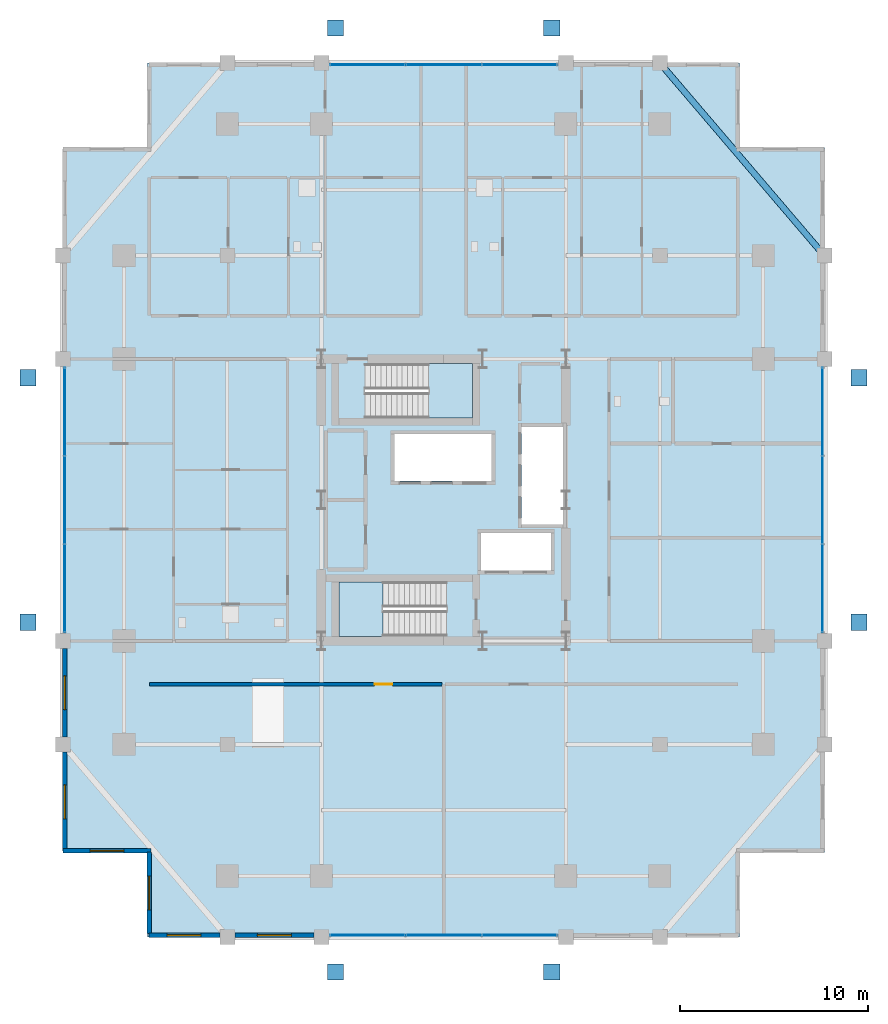
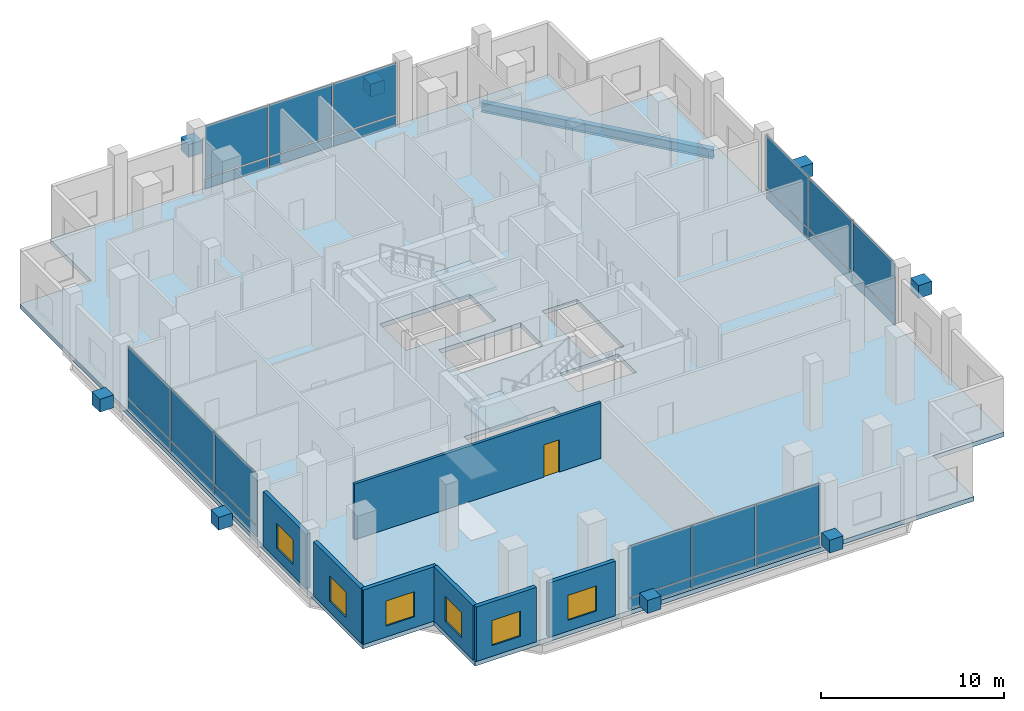
# One storey, part 13 of 19: 32 plates, 7 walls, 6 windows, 3 slabs, 1 beam, 1 door, 7 openings, 6 elements without a shape of their own.
"""IFC4 building model written with IfcOpenShell, lengths in metres."""

from ifc_helpers import new_model, si_unit, direction, frame, frame_2d, origin, origin_2d, place, context, subcontext, project, spatial, polyline, rectangle, i_section, outline, extrude, material, layer, layer_set, material_profile, profile_set, type_object, element, fill, aggregate, save


model = new_model("IFC4")

# Units and contexts
model_context = context("Model", 3, precision=1e-05, world=origin(), true_north=direction((0.0, 1.0)))
body_context = subcontext(model_context, "Body", "Model", "MODEL_VIEW")
ifc_project = project(units=[si_unit("LENGTHUNIT", "METRE"), si_unit("AREAUNIT", "SQUARE_METRE"), si_unit("VOLUMEUNIT", "CUBIC_METRE"), si_unit("PLANEANGLEUNIT", "RADIAN"), si_unit("MASSUNIT", "GRAM", prefix="KILO")], contexts=[model_context])

# Site, building, storey
site_placement = place(None, origin())
site = spatial("IfcSite", under=ifc_project, at=site_placement, CompositionType="ELEMENT")
building_placement = place(site_placement, origin())
building = spatial("IfcBuilding", under=site, at=building_placement, Name="Barlavira Tower and Art Museum", CompositionType="ELEMENT")
storey_placement = place(building_placement, frame((0.0, 0.0, 125.10009765625)))
storey = spatial("IfcBuildingStorey", under=building, at=storey_placement, Name="L31", CompositionType="ELEMENT", Elevation=125.10009765625)

# Beam
ifc_material_1 = material(Name="Steel S355", Category="steel")
ifc_material_profile = material_profile(ifc_material_1, i_section(OverallWidth=0.327880859375, OverallDepth=0.62890625, WebThickness=0.013916015625, FlangeThickness=0.021484375, at=origin_2d()), Name="W610x174.0")
ifc_profile_set = profile_set([ifc_material_profile], Name="Steel S355")
beam_type = type_object("IfcBeamType", Name="Perimeter Spandrel Edge Beam W610x174 Steel S355", PredefinedType="SPANDREL", material=ifc_profile_set)
beam_placement = place(storey_placement, frame((20.25, 13.0, -0.614501953125), z_axis=(-0.649262379928, 0.760564502202, 0.0), x_axis=(-0.760564502202, -0.649262379928, 0.0)))
element("IfcBeam", 1, at=beam_placement, inside=storey, type_object=beam_type, Name="L31 Spandrel 8", PredefinedType="SPANDREL", context=body_context, shape_type="SweptSolid", body=[
    extrude(i_section(OverallWidth=0.327880859375, OverallDepth=0.62890625, WebThickness=0.013916015625, FlangeThickness=0.021484375, at=origin_2d()), origin(), (0.0, 0.0, 1.0), 13.476806640625),
])

# Curtain wall, plates
ifc_material_2 = material(Name="Low-iron coastal laminated glass", Category="glass")
ifc_layer_1 = layer(ifc_material_2, 0.18994140625, Name="Low-iron coastal laminated glass")
ifc_layer_set_1 = layer_set([ifc_layer_1], Name="Low-iron coastal laminated glass")
curtain_wall_type = type_object("IfcCurtainWallType", Name="Pale-Metal Unitised Curtain Wall Zone 2", PredefinedType="NOTDEFINED", material=ifc_layer_set_1)
curtain_wall_1_placement = place(storey_placement, origin())
curtain_wall_1 = element("IfcCurtainWall", 2, at=curtain_wall_1_placement, inside=storey, type_object=curtain_wall_type, Name="L31 Curtain Wall CW2-L31-S-B3", PredefinedType="NOTDEFINED")
ifc_material_3 = material(Name="Pale anodised aluminium", Category="aluminium")
ifc_layer_2 = layer(ifc_material_3, 0.044921875, Name="Pale anodised aluminium")
ifc_layer_set_2 = layer_set([ifc_layer_2], Name="Pale anodised aluminium")
plate_type_1 = type_object("IfcPlateType", Name="Curtain Wall Pale-Metal Spandrel Panel 45", PredefinedType="CURTAIN_PANEL", material=ifc_layer_set_2)
plate_1_placement = place(storey_placement, frame((-4.05322265625, -23.14990234375, 0.0400390625), z_axis=(0.0, 0.0, 1.0), x_axis=(1.0, 0.0, 0.0)))
plate_1 = element("IfcPlate", 3, at=plate_1_placement, type_object=plate_type_1, Name="CW2-L31-S-B3 Spandrel Panel 0", PredefinedType="CURTAIN_PANEL", context=body_context, shape_type="SweptSolid", body=[
    extrude(rectangle(XDim=3.953369140625, YDim=0.044921875, at=origin_2d()), origin(), (0.0, 0.0, 1.0), 0.669921875),
])
plate_2_placement = place(storey_placement, frame((0.0, -23.14990234375, 0.0400390625), z_axis=(0.0, 0.0, 1.0), x_axis=(1.0, 0.0, 0.0)))
plate_2 = element("IfcPlate", 4, at=plate_2_placement, type_object=plate_type_1, Name="CW2-L31-S-B3 Spandrel Panel 1", PredefinedType="CURTAIN_PANEL", context=body_context, shape_type="SweptSolid", body=[
    extrude(rectangle(XDim=3.953369140625, YDim=0.044921875, at=origin_2d()), origin(), (0.0, 0.0, 1.0), 0.669921875),
])
plate_3_placement = place(storey_placement, frame((4.05322265625, -23.14990234375, 0.0400390625), z_axis=(0.0, 0.0, 1.0), x_axis=(1.0, 0.0, 0.0)))
plate_3 = element("IfcPlate", 5, at=plate_3_placement, type_object=plate_type_1, Name="CW2-L31-S-B3 Spandrel Panel 2", PredefinedType="CURTAIN_PANEL", context=body_context, shape_type="SweptSolid", body=[
    extrude(rectangle(XDim=3.953369140625, YDim=0.044921875, at=origin_2d()), origin(), (0.0, 0.0, 1.0), 0.669921875),
])

curtain_wall_2_placement = place(storey_placement, origin())
curtain_wall_2 = element("IfcCurtainWall", 6, at=curtain_wall_2_placement, inside=storey, type_object=curtain_wall_type, Name="L31 Curtain Wall CW2-L31-N-B3", PredefinedType="NOTDEFINED")
plate_4_placement = place(storey_placement, frame((4.05322265625, 23.14990234375, 0.0400390625), z_axis=(0.0, 0.0, 1.0), x_axis=(-1.0, 0.0, 0.0)))
plate_4 = element("IfcPlate", 7, at=plate_4_placement, type_object=plate_type_1, Name="CW2-L31-N-B3 Spandrel Panel 0", PredefinedType="CURTAIN_PANEL", context=body_context, shape_type="SweptSolid", body=[
    extrude(rectangle(XDim=3.953369140625, YDim=0.044921875, at=origin_2d()), origin(), (0.0, 0.0, 1.0), 0.669921875),
])
plate_5_placement = place(storey_placement, frame((0.0, 23.14990234375, 0.0400390625), z_axis=(0.0, 0.0, 1.0), x_axis=(-1.0, 0.0, 0.0)))
plate_5 = element("IfcPlate", 8, at=plate_5_placement, type_object=plate_type_1, Name="CW2-L31-N-B3 Spandrel Panel 1", PredefinedType="CURTAIN_PANEL", context=body_context, shape_type="SweptSolid", body=[
    extrude(rectangle(XDim=3.953369140625, YDim=0.044921875, at=origin_2d()), origin(), (0.0, 0.0, 1.0), 0.669921875),
])
plate_6_placement = place(storey_placement, frame((-4.05322265625, 23.14990234375, 0.0400390625), z_axis=(0.0, 0.0, 1.0), x_axis=(-1.0, 0.0, 0.0)))
plate_6 = element("IfcPlate", 9, at=plate_6_placement, type_object=plate_type_1, Name="CW2-L31-N-B3 Spandrel Panel 2", PredefinedType="CURTAIN_PANEL", context=body_context, shape_type="SweptSolid", body=[
    extrude(rectangle(XDim=3.953369140625, YDim=0.044921875, at=origin_2d()), origin(), (0.0, 0.0, 1.0), 0.669921875),
])

curtain_wall_3_placement = place(storey_placement, origin())
curtain_wall_3 = element("IfcCurtainWall", 10, at=curtain_wall_3_placement, inside=storey, type_object=curtain_wall_type, Name="L31 Curtain Wall CW2-L31-W-B3", PredefinedType="NOTDEFINED")
plate_7_placement = place(storey_placement, frame((-20.14990234375, 4.719970703125, 0.0400390625), z_axis=(0.0, 0.0, 1.0), x_axis=(0.0, -1.0, 0.0)))
plate_7 = element("IfcPlate", 11, at=plate_7_placement, type_object=plate_type_1, Name="CW2-L31-W-B3 Spandrel Panel 0", PredefinedType="CURTAIN_PANEL", context=body_context, shape_type="SweptSolid", body=[
    extrude(rectangle(XDim=4.6201171875, YDim=0.044921875, at=origin_2d()), origin(), (0.0, 0.0, 1.0), 0.669921875),
])
plate_8_placement = place(storey_placement, frame((-20.14990234375, 0.0, 0.0400390625), z_axis=(0.0, 0.0, 1.0), x_axis=(0.0, -1.0, 0.0)))
plate_8 = element("IfcPlate", 12, at=plate_8_placement, type_object=plate_type_1, Name="CW2-L31-W-B3 Spandrel Panel 1", PredefinedType="CURTAIN_PANEL", context=body_context, shape_type="SweptSolid", body=[
    extrude(rectangle(XDim=4.6201171875, YDim=0.044921875, at=origin_2d()), origin(), (0.0, 0.0, 1.0), 0.669921875),
])
plate_9_placement = place(storey_placement, frame((-20.14990234375, -4.719970703125, 0.0400390625), z_axis=(0.0, 0.0, 1.0), x_axis=(0.0, -1.0, 0.0)))
plate_9 = element("IfcPlate", 13, at=plate_9_placement, type_object=plate_type_1, Name="CW2-L31-W-B3 Spandrel Panel 2", PredefinedType="CURTAIN_PANEL", context=body_context, shape_type="SweptSolid", body=[
    extrude(rectangle(XDim=4.6201171875, YDim=0.044921875, at=origin_2d()), origin(), (0.0, 0.0, 1.0), 0.669921875),
])

curtain_wall_4_placement = place(storey_placement, origin())
curtain_wall_4 = element("IfcCurtainWall", 14, at=curtain_wall_4_placement, inside=storey, type_object=curtain_wall_type, Name="L31 Curtain Wall CW2-L31-E-B3", PredefinedType="NOTDEFINED")
plate_10_placement = place(storey_placement, frame((20.14990234375, -4.719970703125, 0.0400390625), z_axis=(0.0, 0.0, 1.0), x_axis=(0.0, 1.0, 0.0)))
plate_10 = element("IfcPlate", 15, at=plate_10_placement, type_object=plate_type_1, Name="CW2-L31-E-B3 Spandrel Panel 0", PredefinedType="CURTAIN_PANEL", context=body_context, shape_type="SweptSolid", body=[
    extrude(rectangle(XDim=4.6201171875, YDim=0.044921875, at=origin_2d()), origin(), (0.0, 0.0, 1.0), 0.669921875),
])
plate_11_placement = place(storey_placement, frame((20.14990234375, 0.0, 0.0400390625), z_axis=(0.0, 0.0, 1.0), x_axis=(0.0, 1.0, 0.0)))
plate_11 = element("IfcPlate", 16, at=plate_11_placement, type_object=plate_type_1, Name="CW2-L31-E-B3 Spandrel Panel 1", PredefinedType="CURTAIN_PANEL", context=body_context, shape_type="SweptSolid", body=[
    extrude(rectangle(XDim=4.6201171875, YDim=0.044921875, at=origin_2d()), origin(), (0.0, 0.0, 1.0), 0.669921875),
])
plate_12_placement = place(storey_placement, frame((20.14990234375, 4.719970703125, 0.0400390625), z_axis=(0.0, 0.0, 1.0), x_axis=(0.0, 1.0, 0.0)))
plate_12 = element("IfcPlate", 17, at=plate_12_placement, type_object=plate_type_1, Name="CW2-L31-E-B3 Spandrel Panel 2", PredefinedType="CURTAIN_PANEL", context=body_context, shape_type="SweptSolid", body=[
    extrude(rectangle(XDim=4.6201171875, YDim=0.044921875, at=origin_2d()), origin(), (0.0, 0.0, 1.0), 0.669921875),
])

# Plate
ifc_layer_3 = layer(ifc_material_2, 0.028076171875, Name="Low-iron coastal laminated glass")
ifc_layer_set_3 = layer_set([ifc_layer_3], Name="Low-iron coastal laminated glass")
plate_type_2 = type_object("IfcPlateType", Name="Curtain Wall Vision Glazing Panel 28", PredefinedType="CURTAIN_PANEL", material=ifc_layer_set_3)
plate_13_placement = place(storey_placement, frame((-4.05322265625, -23.14990234375, 0.7900390625), z_axis=(0.0, 0.0, 1.0), x_axis=(1.0, 0.0, 0.0)))
plate_13 = element("IfcPlate", 18, at=plate_13_placement, type_object=plate_type_2, Name="CW2-L31-S-B3 Vision Glass Panel 0", PredefinedType="CURTAIN_PANEL", context=body_context, shape_type="SweptSolid", body=[
    extrude(rectangle(XDim=3.953369140625, YDim=0.028076171875, at=origin_2d()), origin(), (0.0, 0.0, 1.0), 3.449951171875),
])

plate_14_placement = place(storey_placement, frame((0.0, -23.14990234375, 0.7900390625), z_axis=(0.0, 0.0, 1.0), x_axis=(1.0, 0.0, 0.0)))
plate_14 = element("IfcPlate", 19, at=plate_14_placement, type_object=plate_type_2, Name="CW2-L31-S-B3 Vision Glass Panel 1", PredefinedType="CURTAIN_PANEL", context=body_context, shape_type="SweptSolid", body=[
    extrude(rectangle(XDim=3.953369140625, YDim=0.028076171875, at=origin_2d()), origin(), (0.0, 0.0, 1.0), 3.449951171875),
])

plate_15_placement = place(storey_placement, frame((4.05322265625, -23.14990234375, 0.7900390625), z_axis=(0.0, 0.0, 1.0), x_axis=(1.0, 0.0, 0.0)))
plate_15 = element("IfcPlate", 20, at=plate_15_placement, type_object=plate_type_2, Name="CW2-L31-S-B3 Vision Glass Panel 2", PredefinedType="CURTAIN_PANEL", context=body_context, shape_type="SweptSolid", body=[
    extrude(rectangle(XDim=3.953369140625, YDim=0.028076171875, at=origin_2d()), origin(), (0.0, 0.0, 1.0), 3.449951171875),
])

aggregate(curtain_wall_1, [plate_1, plate_13, plate_2, plate_14, plate_3, plate_15])

plate_16_placement = place(storey_placement, frame((4.05322265625, 23.14990234375, 0.7900390625), z_axis=(0.0, 0.0, 1.0), x_axis=(-1.0, 0.0, 0.0)))
plate_16 = element("IfcPlate", 21, at=plate_16_placement, type_object=plate_type_2, Name="CW2-L31-N-B3 Vision Glass Panel 0", PredefinedType="CURTAIN_PANEL", context=body_context, shape_type="SweptSolid", body=[
    extrude(rectangle(XDim=3.953369140625, YDim=0.028076171875, at=origin_2d()), origin(), (0.0, 0.0, 1.0), 3.449951171875),
])

plate_17_placement = place(storey_placement, frame((0.0, 23.14990234375, 0.7900390625), z_axis=(0.0, 0.0, 1.0), x_axis=(-1.0, 0.0, 0.0)))
plate_17 = element("IfcPlate", 22, at=plate_17_placement, type_object=plate_type_2, Name="CW2-L31-N-B3 Vision Glass Panel 1", PredefinedType="CURTAIN_PANEL", context=body_context, shape_type="SweptSolid", body=[
    extrude(rectangle(XDim=3.953369140625, YDim=0.028076171875, at=origin_2d()), origin(), (0.0, 0.0, 1.0), 3.449951171875),
])

plate_18_placement = place(storey_placement, frame((-4.05322265625, 23.14990234375, 0.7900390625), z_axis=(0.0, 0.0, 1.0), x_axis=(-1.0, 0.0, 0.0)))
plate_18 = element("IfcPlate", 23, at=plate_18_placement, type_object=plate_type_2, Name="CW2-L31-N-B3 Vision Glass Panel 2", PredefinedType="CURTAIN_PANEL", context=body_context, shape_type="SweptSolid", body=[
    extrude(rectangle(XDim=3.953369140625, YDim=0.028076171875, at=origin_2d()), origin(), (0.0, 0.0, 1.0), 3.449951171875),
])

aggregate(curtain_wall_2, [plate_4, plate_16, plate_5, plate_17, plate_6, plate_18])

plate_19_placement = place(storey_placement, frame((-20.14990234375, 4.719970703125, 0.7900390625), z_axis=(0.0, 0.0, 1.0), x_axis=(0.0, -1.0, 0.0)))
plate_19 = element("IfcPlate", 24, at=plate_19_placement, type_object=plate_type_2, Name="CW2-L31-W-B3 Vision Glass Panel 0", PredefinedType="CURTAIN_PANEL", context=body_context, shape_type="SweptSolid", body=[
    extrude(rectangle(XDim=4.6201171875, YDim=0.028076171875, at=origin_2d()), origin(), (0.0, 0.0, 1.0), 3.449951171875),
])

plate_20_placement = place(storey_placement, frame((-20.14990234375, 0.0, 0.7900390625), z_axis=(0.0, 0.0, 1.0), x_axis=(0.0, -1.0, 0.0)))
plate_20 = element("IfcPlate", 25, at=plate_20_placement, type_object=plate_type_2, Name="CW2-L31-W-B3 Vision Glass Panel 1", PredefinedType="CURTAIN_PANEL", context=body_context, shape_type="SweptSolid", body=[
    extrude(rectangle(XDim=4.6201171875, YDim=0.028076171875, at=origin_2d()), origin(), (0.0, 0.0, 1.0), 3.449951171875),
])

plate_21_placement = place(storey_placement, frame((-20.14990234375, -4.719970703125, 0.7900390625), z_axis=(0.0, 0.0, 1.0), x_axis=(0.0, -1.0, 0.0)))
plate_21 = element("IfcPlate", 26, at=plate_21_placement, type_object=plate_type_2, Name="CW2-L31-W-B3 Vision Glass Panel 2", PredefinedType="CURTAIN_PANEL", context=body_context, shape_type="SweptSolid", body=[
    extrude(rectangle(XDim=4.6201171875, YDim=0.028076171875, at=origin_2d()), origin(), (0.0, 0.0, 1.0), 3.449951171875),
])

aggregate(curtain_wall_3, [plate_7, plate_19, plate_8, plate_20, plate_9, plate_21])

plate_22_placement = place(storey_placement, frame((20.14990234375, -4.719970703125, 0.7900390625), z_axis=(0.0, 0.0, 1.0), x_axis=(0.0, 1.0, 0.0)))
plate_22 = element("IfcPlate", 27, at=plate_22_placement, type_object=plate_type_2, Name="CW2-L31-E-B3 Vision Glass Panel 0", PredefinedType="CURTAIN_PANEL", context=body_context, shape_type="SweptSolid", body=[
    extrude(rectangle(XDim=4.6201171875, YDim=0.028076171875, at=origin_2d()), origin(), (0.0, 0.0, 1.0), 3.449951171875),
])

plate_23_placement = place(storey_placement, frame((20.14990234375, 0.0, 0.7900390625), z_axis=(0.0, 0.0, 1.0), x_axis=(0.0, 1.0, 0.0)))
plate_23 = element("IfcPlate", 28, at=plate_23_placement, type_object=plate_type_2, Name="CW2-L31-E-B3 Vision Glass Panel 1", PredefinedType="CURTAIN_PANEL", context=body_context, shape_type="SweptSolid", body=[
    extrude(rectangle(XDim=4.6201171875, YDim=0.028076171875, at=origin_2d()), origin(), (0.0, 0.0, 1.0), 3.449951171875),
])

plate_24_placement = place(storey_placement, frame((20.14990234375, 4.719970703125, 0.7900390625), z_axis=(0.0, 0.0, 1.0), x_axis=(0.0, 1.0, 0.0)))
plate_24 = element("IfcPlate", 29, at=plate_24_placement, type_object=plate_type_2, Name="CW2-L31-E-B3 Vision Glass Panel 2", PredefinedType="CURTAIN_PANEL", context=body_context, shape_type="SweptSolid", body=[
    extrude(rectangle(XDim=4.6201171875, YDim=0.028076171875, at=origin_2d()), origin(), (0.0, 0.0, 1.0), 3.449951171875),
])

aggregate(curtain_wall_4, [plate_10, plate_22, plate_11, plate_23, plate_12, plate_24])

# Plates
ifc_layer_4 = layer(ifc_material_1, 0.860107421875, Name="Steel S355")
ifc_layer_set_4 = layer_set([ifc_layer_4], Name="Steel S355")
plate_type_3 = type_object("IfcPlateType", Name="Exoskeleton Solid Steel Node Cap Plate Assembly Type 2 Steel S355", PredefinedType="USERDEFINED", material=ifc_layer_set_4)
for number, where, z_axis, x_axis, name in (
    (30, (-5.75, -25.10009765625, 1.25), (0.0, 0.0, 1.0), (1.0, 0.0, 0.0), "Exoskeleton Diamond Node S1 ND-L31-0316"),
    (31, (5.75, -25.10009765625, 1.25), (0.0, 0.0, 1.0), (1.0, 0.0, 0.0), "Exoskeleton Diamond Node S2 ND-L31-0317"),
    (32, (-5.75, 25.10009765625, 1.25), (0.0, 0.0, 1.0), (1.0, 0.0, 0.0), "Exoskeleton Diamond Node N1 ND-L31-0324"),
    (33, (5.75, 25.10009765625, 1.25), (0.0, 0.0, 1.0), (1.0, 0.0, 0.0), "Exoskeleton Diamond Node N2 ND-L31-0325"),
    (34, (-22.10009765625, -6.5, 1.25), (0.0, 0.0, 1.0), (1.0, 0.0, 0.0), "Exoskeleton Diamond Node W1 ND-L31-0332"),
    (35, (-22.10009765625, 6.5, 1.25), (0.0, 0.0, 1.0), (1.0, 0.0, 0.0), "Exoskeleton Diamond Node W2 ND-L31-0333"),
    (36, (22.10009765625, -6.5, 1.25), (0.0, 0.0, 1.0), (1.0, 0.0, 0.0), "Exoskeleton Diamond Node E1 ND-L31-0340"),
    (37, (22.10009765625, 6.5, 1.25), (0.0, 0.0, 1.0), (1.0, 0.0, 0.0), "Exoskeleton Diamond Node E2 ND-L31-0341"),
):
    element("IfcPlate", number, at=place(storey_placement, frame(where, z_axis=z_axis, x_axis=x_axis)), inside=storey, type_object=plate_type_3, Name=name, ObjectType="FLANGE_PLATE", PredefinedType="USERDEFINED", context=body_context, shape_type="SweptSolid", body=[
        extrude(rectangle(XDim=0.860107421875, YDim=0.860107421875, at=origin_2d()), origin(), (0.0, 0.0, 1.0), 0.860107421875),
    ])

# Slab
ifc_material_4 = material(Name="Concrete C55", Category="concrete")
ifc_layer_5 = layer(ifc_material_4, 0.300048828125, Name="Concrete C55")
ifc_layer_set_5 = layer_set([ifc_layer_5], Name="Concrete C55")
slab_type_1 = type_object("IfcSlabType", Name="Sky-Lobby and Wind-Refuge Heavy Slab 300 Concrete C55", PredefinedType="FLOOR", material=ifc_layer_set_5)
slab_1_placement = place(storey_placement, frame((0.0, 0.0, -0.300048828125)))
element("IfcSlab", 38, at=slab_1_placement, inside=storey, type_object=slab_type_1, Name="L31 Tower Floor Slab", PredefinedType="FLOOR", context=body_context, shape_type="SweptSolid", body=[
    extrude(outline(polyline([(-15.75, -23.25), (15.75, -23.25), (15.75, -18.75), (20.25, -18.75), (20.25, 18.75), (15.75, 18.75), (15.75, 23.25), (-15.75, 23.25), (-15.75, 18.75), (-20.25, 18.75), (-20.25, -18.75), (-15.75, -18.75), (-15.75, -23.25)]), holes=[polyline([(0.14990234375, -4.35009765625), (-5.550048828125, -4.35009765625), (-5.550048828125, -7.25), (0.14990234375, -7.25), (0.14990234375, -4.35009765625)]), polyline([(-4.169921875, 4.35009765625), (1.530029296875, 4.35009765625), (1.530029296875, 7.25), (-4.169921875, 7.25), (-4.169921875, 4.35009765625)]), polyline([(4.14990234375, -1.2900390625), (6.35009765625, -1.2900390625), (6.35009765625, 3.889892578125), (4.14990234375, 3.889892578125), (4.14990234375, -1.2900390625)]), polyline([(-2.6201171875, 1.0), (2.56005859375, 1.0), (2.56005859375, 3.5), (-2.6201171875, 3.5), (-2.6201171875, 1.0)]), polyline([(2.0, -3.75), (5.699951171875, -3.75), (5.699951171875, -1.75), (2.0, -1.75), (2.0, -3.75)])]), origin(), (0.0, 0.0, 1.0), 0.300048828125),
])

# Stair, slab
ifc_material_5 = material(Name="Concrete C45", Category="concrete")
stair_type_1 = type_object("IfcStairType", Name="Tower North Dog-Leg Exit Stair Assembly Concrete C45", PredefinedType="TWO_QUARTER_TURN_STAIR", material=ifc_material_5)
stair_1_placement = place(storey_placement, origin())
stair_1 = element("IfcStair", 39, at=stair_1_placement, inside=storey, type_object=stair_type_1, Name="L31 Tower North Exit Stair ST-T2", PredefinedType="TWO_QUARTER_TURN_STAIR")
ifc_layer_6 = layer(ifc_material_5, 0.199951171875, Name="Concrete C45")
ifc_layer_set_6 = layer_set([ifc_layer_6], Name="Concrete C45")
slab_type_2 = type_object("IfcSlabType", Name="Tower North Dog-Leg Exit Stair Half-Landing Slab 200 Concrete C45", PredefinedType="LANDING", material=ifc_layer_set_6)
slab_2_placement = place(storey_placement, frame((0.0, 0.0, 2.0498046875)))
slab_2 = element("IfcSlab", 40, at=slab_2_placement, type_object=slab_type_2, Name="ST-T2 landing 1", PredefinedType="LANDING", context=body_context, shape_type="SweptSolid", body=[
    extrude(outline(polyline([(-0.81005859375, 4.35009765625), (1.530029296875, 4.35009765625), (1.530029296875, 7.25), (-0.81005859375, 7.25), (-0.81005859375, 4.35009765625)])), origin(), (0.0, 0.0, 1.0), 0.2001953125),
])
aggregate(stair_1, [slab_2])

stair_type_2 = type_object("IfcStairType", Name="Tower South Dog-Leg Exit Stair Assembly Concrete C45", PredefinedType="TWO_QUARTER_TURN_STAIR", material=ifc_material_5)
stair_2_placement = place(storey_placement, origin())
stair_2 = element("IfcStair", 41, at=stair_2_placement, inside=storey, type_object=stair_type_2, Name="L31 Tower South Exit Stair ST-T1", PredefinedType="TWO_QUARTER_TURN_STAIR")
ifc_layer_7 = layer(ifc_material_5, 0.199951171875, Name="Concrete C45")
ifc_layer_set_7 = layer_set([ifc_layer_7], Name="Concrete C45")
slab_type_3 = type_object("IfcSlabType", Name="Tower South Dog-Leg Exit Stair Half-Landing Slab 200 Concrete C45", PredefinedType="LANDING", material=ifc_layer_set_7)
slab_3_placement = place(storey_placement, frame((0.0, 0.0, 2.0498046875)))
slab_3 = element("IfcSlab", 42, at=slab_3_placement, type_object=slab_type_3, Name="ST-T1 landing 1", PredefinedType="LANDING", context=body_context, shape_type="SweptSolid", body=[
    extrude(outline(polyline([(-3.2099609375, -4.35009765625), (-5.550048828125, -4.35009765625), (-5.550048828125, -7.25), (-3.2099609375, -7.25), (-3.2099609375, -4.35009765625)])), origin(), (0.0, 0.0, 1.0), 0.2001953125),
])
aggregate(stair_2, [slab_3])

# Wall, opening, door
ifc_material_6 = material(Name="Gypsum acoustic stud partition", Category="gypsum")
ifc_layer_8 = layer(ifc_material_6, 0.179931640625, Name="Gypsum acoustic stud partition")
ifc_layer_set_8 = layer_set([ifc_layer_8], Name="Gypsum acoustic stud partition")
wall_type_1 = type_object("IfcWallType", Name="Inter-Tenancy Party Partition Wall 180", PredefinedType="PARTITIONING", material=ifc_layer_set_8)
wall_1_placement = place(storey_placement, frame((-15.64990234375, -9.800048828125, 0.0), z_axis=(0.0, 0.0, 1.0), x_axis=(1.0, 0.0, 0.0)))
wall_1 = element("IfcWall", 43, at=wall_1_placement, inside=storey, type_object=wall_type_1, Name="L31 Partition Wall 19", PredefinedType="PARTITIONING", context=body_context, shape_type="SweptSolid", body=[
    extrude(rectangle(XDim=15.56982421875, YDim=0.179931640625, at=frame_2d((7.784912109375, 0.0))), origin(), (0.0, 0.0, 1.0), 3.7158203125),
])
opening_1_placement = place(wall_1_placement, frame((11.97509765625, 0.0, 0.0)))
opening_1 = element("IfcOpeningElement", 44, at=opening_1_placement, cuts=wall_1, Name="Opening FD-60", PredefinedType="OPENING", context=body_context, shape_type="SweptSolid", body=[
    extrude(rectangle(XDim=0.949951171875, YDim=2.14990234375, at=frame_2d((0.47509765625, 1.074951171875))), frame((0.0, 0.10009765625, 0.0), z_axis=(0.0, -1.0, 0.0), x_axis=(1.0, 0.0, 0.0)), (0.0, 0.0, 1.0), 0.199951171875),
])
ifc_material_7 = material(Name="Brushed stainless steel", Category="steel")
door_type = type_object("IfcDoorType", Name="Apartment Entrance and Riser Fire Door 950x2150 FD60S", OperationType="NOTDEFINED", PredefinedType="DOOR", material=ifc_material_7)
door_placement = place(opening_1_placement, origin())
door = element("IfcDoor", 45, at=door_placement, inside=storey, type_object=door_type, Name="Sky Transfer Concierge Lounge Door", OperationType="SINGLE_SWING_LEFT", OverallHeight=2.14990234375, OverallWidth=0.949951171875, PredefinedType="DOOR", context=body_context, shape_type="SweptSolid", body=[
    extrude(rectangle(XDim=0.949951171875, YDim=2.14990234375, at=frame_2d((0.47509765625, 1.074951171875))), frame((0.0, 0.02490234375, 0.0), z_axis=(0.0, -1.0, 0.0), x_axis=(1.0, 0.0, 0.0)), (0.0, 0.0, 1.0), 0.050048828125),
])
fill(opening_1, door)

# Wall, opening, window
ifc_material_8 = material(Name="Precast concrete C40", Category="concrete")
ifc_layer_9 = layer(ifc_material_8, 0.25, Name="Precast concrete C40")
ifc_layer_set_9 = layer_set([ifc_layer_9], Name="Precast concrete C40")
wall_type_2 = type_object("IfcWallType", Name="Notched Corner Spandrel Wall 250 Precast Concrete C40", PredefinedType="SOLIDWALL", material=ifc_layer_set_9)
wall_2_placement = place(storey_placement, frame((-15.675048828125, -23.14990234375, 0.0), z_axis=(0.0, 0.0, 1.0), x_axis=(1.0, 0.0, 0.0)))
wall_2 = element("IfcWall", 46, at=wall_2_placement, inside=storey, type_object=wall_type_2, Name="L31 Coastal Facade Pier Wall CW2-L31-S-1", PredefinedType="SOLIDWALL", context=body_context, shape_type="SweptSolid", body=[
    extrude(rectangle(XDim=3.780029296875, YDim=0.25, at=frame_2d((1.89013671875, 0.0))), origin(), (0.0, 0.0, 1.0), 3.635986328125),
])
opening_2_placement = place(wall_2_placement, frame((0.968017578125, 0.0, 0.719970703125)))
opening_2 = element("IfcOpeningElement", 47, at=opening_2_placement, cuts=wall_2, Name="Opening WN-01", PredefinedType="OPENING", context=body_context, shape_type="SweptSolid", body=[
    extrude(rectangle(XDim=1.800048828125, YDim=1.679931640625, at=frame_2d((0.89990234375, 0.83984375))), frame((0.0, 0.135009765625, 0.0), z_axis=(0.0, -1.0, 0.0), x_axis=(1.0, 0.0, 0.0)), (0.0, 0.0, 1.0), 0.27001953125),
])
window_type = type_object("IfcWindowType", Name="Recessed Notch Corner Punch Window 1800x1680", PartitioningType="SINGLE_PANEL", PredefinedType="WINDOW", material=ifc_material_2)
window_1_placement = place(opening_2_placement, origin())
window_1 = element("IfcWindow", 48, at=window_1_placement, inside=storey, type_object=window_type, Name="L31 Punched Facade Window EWP-CW2-L31-S-1-1", OverallHeight=1.679931640625, OverallWidth=1.800048828125, PartitioningType="SINGLE_PANEL", PredefinedType="WINDOW", context=body_context, shape_type="SweptSolid", body=[
    extrude(rectangle(XDim=1.800048828125, YDim=1.679931640625, at=frame_2d((0.89990234375, 0.83984375))), frame((0.0, 0.030029296875, 0.0), z_axis=(0.0, -1.0, 0.0), x_axis=(1.0, 0.0, 0.0)), (0.0, 0.0, 1.0), 0.06005859375),
])
fill(opening_2, window_1)

wall_3_placement = place(storey_placement, frame((-11.10498046875, -23.14990234375, 0.0), z_axis=(0.0, 0.0, 1.0), x_axis=(1.0, 0.0, 0.0)))
wall_3 = element("IfcWall", 49, at=wall_3_placement, inside=storey, type_object=wall_type_2, Name="L31 Coastal Facade Pier Wall CW2-L31-S-2", PredefinedType="SOLIDWALL", context=body_context, shape_type="SweptSolid", body=[
    extrude(rectangle(XDim=4.2099609375, YDim=0.25, at=frame_2d((2.10498046875, 0.0))), origin(), (0.0, 0.0, 1.0), 3.635986328125),
])
opening_3_placement = place(wall_3_placement, frame((1.205078125, 0.0, 0.719970703125)))
opening_3 = element("IfcOpeningElement", 50, at=opening_3_placement, cuts=wall_3, Name="Opening WN-01", PredefinedType="OPENING", context=body_context, shape_type="SweptSolid", body=[
    extrude(rectangle(XDim=1.800048828125, YDim=1.679931640625, at=frame_2d((0.89990234375, 0.83984375))), frame((0.0, 0.135009765625, 0.0), z_axis=(0.0, -1.0, 0.0), x_axis=(1.0, 0.0, 0.0)), (0.0, 0.0, 1.0), 0.27001953125),
])
window_2_placement = place(opening_3_placement, origin())
window_2 = element("IfcWindow", 51, at=window_2_placement, inside=storey, type_object=window_type, Name="L31 Punched Facade Window EWP-CW2-L31-S-2-1", OverallHeight=1.679931640625, OverallWidth=1.800048828125, PartitioningType="SINGLE_PANEL", PredefinedType="WINDOW", context=body_context, shape_type="SweptSolid", body=[
    extrude(rectangle(XDim=1.800048828125, YDim=1.679931640625, at=frame_2d((0.89990234375, 0.83984375))), frame((0.0, 0.030029296875, 0.0), z_axis=(0.0, -1.0, 0.0), x_axis=(1.0, 0.0, 0.0)), (0.0, 0.0, 1.0), 0.06005859375),
])
fill(opening_3, window_2)

wall_4_placement = place(storey_placement, frame((-20.14990234375, -7.89501953125, 0.0), z_axis=(0.0, 0.0, 1.0), x_axis=(0.0, -1.0, 0.0)))
wall_4 = element("IfcWall", 52, at=wall_4_placement, inside=storey, type_object=wall_type_2, Name="L31 Coastal Facade Pier Wall CW2-L31-W-4", PredefinedType="SOLIDWALL", context=body_context, shape_type="SweptSolid", body=[
    extrude(rectangle(XDim=4.7099609375, YDim=0.25, at=frame_2d((2.35498046875, 0.0))), origin(), (0.0, 0.0, 1.0), 3.635986328125),
])
opening_4_placement = place(wall_4_placement, frame((1.455078125, 0.0, 0.719970703125)))
opening_4 = element("IfcOpeningElement", 53, at=opening_4_placement, cuts=wall_4, Name="Opening WN-01", PredefinedType="OPENING", context=body_context, shape_type="SweptSolid", body=[
    extrude(rectangle(XDim=1.800048828125, YDim=1.679931640625, at=frame_2d((0.89990234375, 0.83984375))), frame((0.0, 0.135009765625, 0.0), z_axis=(0.0, -1.0, 0.0), x_axis=(1.0, 0.0, 0.0)), (0.0, 0.0, 1.0), 0.27001953125),
])
window_3_placement = place(opening_4_placement, origin())
window_3 = element("IfcWindow", 54, at=window_3_placement, inside=storey, type_object=window_type, Name="L31 Punched Facade Window EWP-CW2-L31-W-4-1", OverallHeight=1.679931640625, OverallWidth=1.800048828125, PartitioningType="SINGLE_PANEL", PredefinedType="WINDOW", context=body_context, shape_type="SweptSolid", body=[
    extrude(rectangle(XDim=1.800048828125, YDim=1.679931640625, at=frame_2d((0.89990234375, 0.83984375))), frame((0.0, 0.030029296875, 0.0), z_axis=(0.0, -1.0, 0.0), x_axis=(1.0, 0.0, 0.0)), (0.0, 0.0, 1.0), 0.06005859375),
])
fill(opening_4, window_3)

wall_5_placement = place(storey_placement, frame((-20.14990234375, -13.39501953125, 0.0), z_axis=(0.0, 0.0, 1.0), x_axis=(0.0, -1.0, 0.0)))
wall_5 = element("IfcWall", 55, at=wall_5_placement, inside=storey, type_object=wall_type_2, Name="L31 Coastal Facade Pier Wall CW2-L31-W-5", PredefinedType="SOLIDWALL", context=body_context, shape_type="SweptSolid", body=[
    extrude(rectangle(XDim=5.280029296875, YDim=0.25, at=frame_2d((2.64013671875, 0.0))), origin(), (0.0, 0.0, 1.0), 3.635986328125),
])
opening_5_placement = place(wall_5_placement, frame((1.762939453125, 0.0, 0.719970703125)))
opening_5 = element("IfcOpeningElement", 56, at=opening_5_placement, cuts=wall_5, Name="Opening WN-01", PredefinedType="OPENING", context=body_context, shape_type="SweptSolid", body=[
    extrude(rectangle(XDim=1.800048828125, YDim=1.679931640625, at=frame_2d((0.89990234375, 0.83984375))), frame((0.0, 0.135009765625, 0.0), z_axis=(0.0, -1.0, 0.0), x_axis=(1.0, 0.0, 0.0)), (0.0, 0.0, 1.0), 0.27001953125),
])
window_4_placement = place(opening_5_placement, origin())
window_4 = element("IfcWindow", 57, at=window_4_placement, inside=storey, type_object=window_type, Name="L31 Punched Facade Window EWP-CW2-L31-W-5-1", OverallHeight=1.679931640625, OverallWidth=1.800048828125, PartitioningType="SINGLE_PANEL", PredefinedType="WINDOW", context=body_context, shape_type="SweptSolid", body=[
    extrude(rectangle(XDim=1.800048828125, YDim=1.679931640625, at=frame_2d((0.89990234375, 0.83984375))), frame((0.0, 0.030029296875, 0.0), z_axis=(0.0, -1.0, 0.0), x_axis=(1.0, 0.0, 0.0)), (0.0, 0.0, 1.0), 0.06005859375),
])
fill(opening_5, window_4)

wall_6_placement = place(storey_placement, frame((-20.22998046875, -18.64990234375, 0.0), z_axis=(0.0, 0.0, 1.0), x_axis=(1.0, 0.0, 0.0)))
wall_6 = element("IfcWall", 58, at=wall_6_placement, inside=storey, type_object=wall_type_2, Name="L31 Notch Corner Wall SW1", PredefinedType="SOLIDWALL", context=body_context, shape_type="SweptSolid", body=[
    extrude(rectangle(XDim=4.659912109375, YDim=0.25, at=frame_2d((2.330078125, 0.0))), origin(), (0.0, 0.0, 1.0), 3.635986328125),
])
opening_6_placement = place(wall_6_placement, frame((1.429931640625, 0.0, 0.719970703125)))
opening_6 = element("IfcOpeningElement", 59, at=opening_6_placement, cuts=wall_6, Name="Opening WN-01", PredefinedType="OPENING", context=body_context, shape_type="SweptSolid", body=[
    extrude(rectangle(XDim=1.800048828125, YDim=1.679931640625, at=frame_2d((0.89990234375, 0.83984375))), frame((0.0, 0.135009765625, 0.0), z_axis=(0.0, -1.0, 0.0), x_axis=(1.0, 0.0, 0.0)), (0.0, 0.0, 1.0), 0.27001953125),
])
window_5_placement = place(opening_6_placement, origin())
window_5 = element("IfcWindow", 60, at=window_5_placement, inside=storey, type_object=window_type, Name="L31 Punched Facade Window EW-NTC-L31-SW1-1", OverallHeight=1.679931640625, OverallWidth=1.800048828125, PartitioningType="SINGLE_PANEL", PredefinedType="WINDOW", context=body_context, shape_type="SweptSolid", body=[
    extrude(rectangle(XDim=1.800048828125, YDim=1.679931640625, at=frame_2d((0.89990234375, 0.83984375))), frame((0.0, 0.030029296875, 0.0), z_axis=(0.0, -1.0, 0.0), x_axis=(1.0, 0.0, 0.0)), (0.0, 0.0, 1.0), 0.06005859375),
])
fill(opening_6, window_5)

wall_7_placement = place(storey_placement, frame((-15.64990234375, -18.72998046875, 0.0), z_axis=(0.0, 0.0, 1.0), x_axis=(0.0, -1.0, 0.0)))
wall_7 = element("IfcWall", 61, at=wall_7_placement, inside=storey, type_object=wall_type_2, Name="L31 Notch Corner Wall SW2", PredefinedType="SOLIDWALL", context=body_context, shape_type="SweptSolid", body=[
    extrude(rectangle(XDim=4.340087890625, YDim=0.25, at=frame_2d((2.169921875, 0.0))), origin(), (0.0, 0.0, 1.0), 3.635986328125),
])
opening_7_placement = place(wall_7_placement, frame((1.27001953125, 0.0, 0.719970703125)))
opening_7 = element("IfcOpeningElement", 62, at=opening_7_placement, cuts=wall_7, Name="Opening WN-01", PredefinedType="OPENING", context=body_context, shape_type="SweptSolid", body=[
    extrude(rectangle(XDim=1.800048828125, YDim=1.679931640625, at=frame_2d((0.89990234375, 0.83984375))), frame((0.0, 0.135009765625, 0.0), z_axis=(0.0, -1.0, 0.0), x_axis=(1.0, 0.0, 0.0)), (0.0, 0.0, 1.0), 0.27001953125),
])
window_6_placement = place(opening_7_placement, origin())
window_6 = element("IfcWindow", 63, at=window_6_placement, inside=storey, type_object=window_type, Name="L31 Punched Facade Window EW-NTC-L31-SW2-1", OverallHeight=1.679931640625, OverallWidth=1.800048828125, PartitioningType="SINGLE_PANEL", PredefinedType="WINDOW", context=body_context, shape_type="SweptSolid", body=[
    extrude(rectangle(XDim=1.800048828125, YDim=1.679931640625, at=frame_2d((0.89990234375, 0.83984375))), frame((0.0, 0.030029296875, 0.0), z_axis=(0.0, -1.0, 0.0), x_axis=(1.0, 0.0, 0.0)), (0.0, 0.0, 1.0), 0.06005859375),
])
fill(opening_7, window_6)

save(model, "model.ifc")
